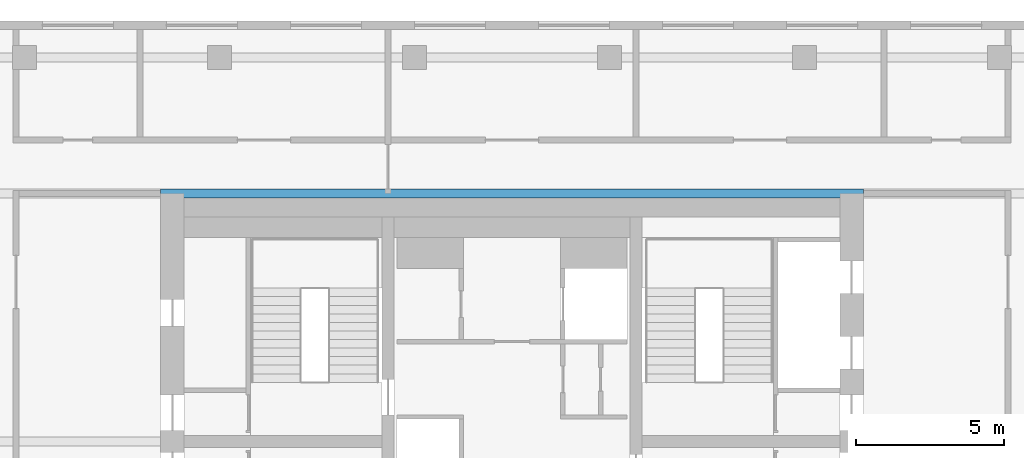
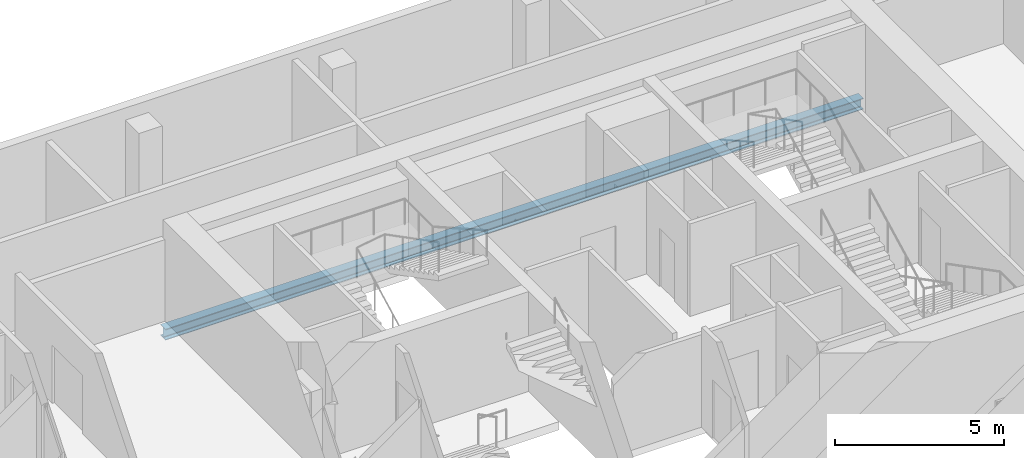
# One storey, part 9 of 22: 1 beam.
"""IFC4 building model written with IfcOpenShell, lengths in metres."""

from ifc_helpers import new_model, si_unit, direction, frame, origin, origin_2d, place, context, subcontext, project, spatial, i_section, extrude, material, material_profile, profile_set, type_object, element, save


model = new_model("IFC4")

# Units and contexts
model_context = context("Model", 3, precision=1e-05, world=origin(), true_north=direction((0.0, 1.0)))
body_context = subcontext(model_context, "Body", "Model", "MODEL_VIEW")
ifc_project = project(units=[si_unit("LENGTHUNIT", "METRE"), si_unit("AREAUNIT", "SQUARE_METRE"), si_unit("VOLUMEUNIT", "CUBIC_METRE"), si_unit("PLANEANGLEUNIT", "RADIAN"), si_unit("MASSUNIT", "GRAM", prefix="KILO")], contexts=[model_context])

# Site, building, storey
site_placement = place(None, origin())
site = spatial("IfcSite", under=ifc_project, at=site_placement, CompositionType="ELEMENT")
building_placement = place(site_placement, origin())
building = spatial("IfcBuilding", under=site, at=building_placement, Name="Marenta Gate Hotel Tower", CompositionType="ELEMENT")
storey_placement = place(building_placement, frame((0.0, 0.0, 223.699951171875)))
storey = spatial("IfcBuildingStorey", under=building, at=storey_placement, Name="L52", CompositionType="ELEMENT", Elevation=223.699951171875)

# Beam
ifc_material = material(Name="Steel S355", Category="steel")
ifc_material_profile = material_profile(ifc_material, i_section(OverallWidth=0.300048828125, OverallDepth=0.39990234375, WebThickness=0.013427734375, FlangeThickness=0.02392578125, FilletRadius=0.027099609375, at=origin_2d()), Name="HEB 400")
ifc_profile_set = profile_set([ifc_material_profile], Name="Steel S355")
beam_type = type_object("IfcBeamType", Name="Girder HEB 400", PredefinedType="BEAM", material=ifc_profile_set)
beam_placement = place(storey_placement, frame((-11.89990234375, 16.800048828125, -0.4599609375), z_axis=(1.0, 0.0, 0.0), x_axis=(0.0, 1.0, 0.0)))
element("IfcBeam", 1, at=beam_placement, inside=storey, type_object=beam_type, Name="L52-GD-31", PredefinedType="BEAM", context=body_context, shape_type="SweptSolid", body=[
    extrude(i_section(OverallWidth=0.300048828125, OverallDepth=0.39990234375, WebThickness=0.013427734375, FlangeThickness=0.02392578125, FilletRadius=0.027099609375, at=origin_2d()), origin(), (0.0, 0.0, 1.0), 23.7998046875),
])

save(model, "model.ifc")
